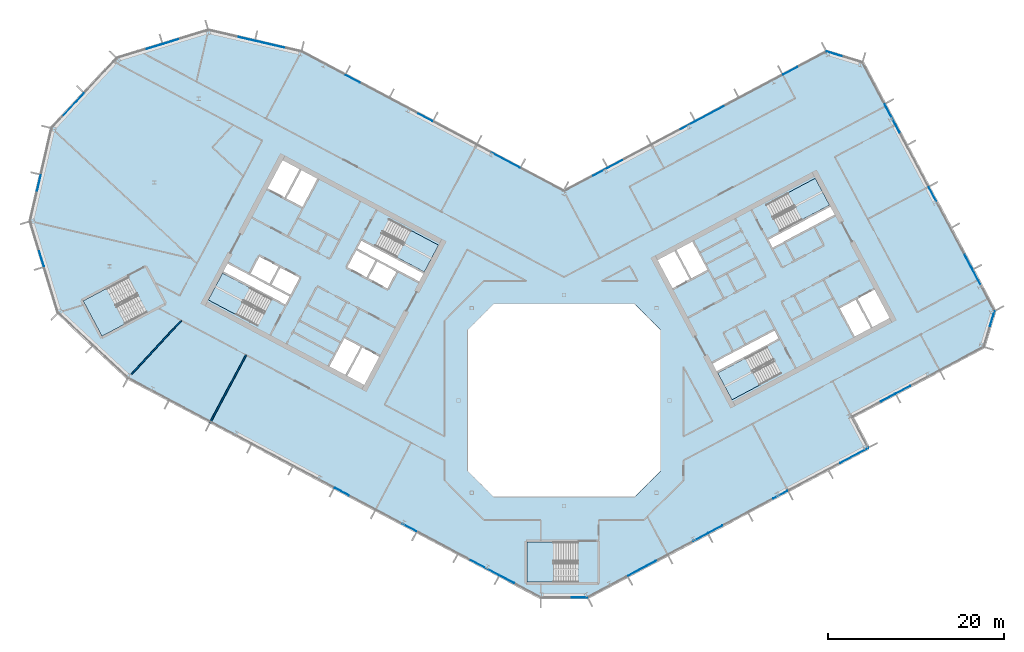
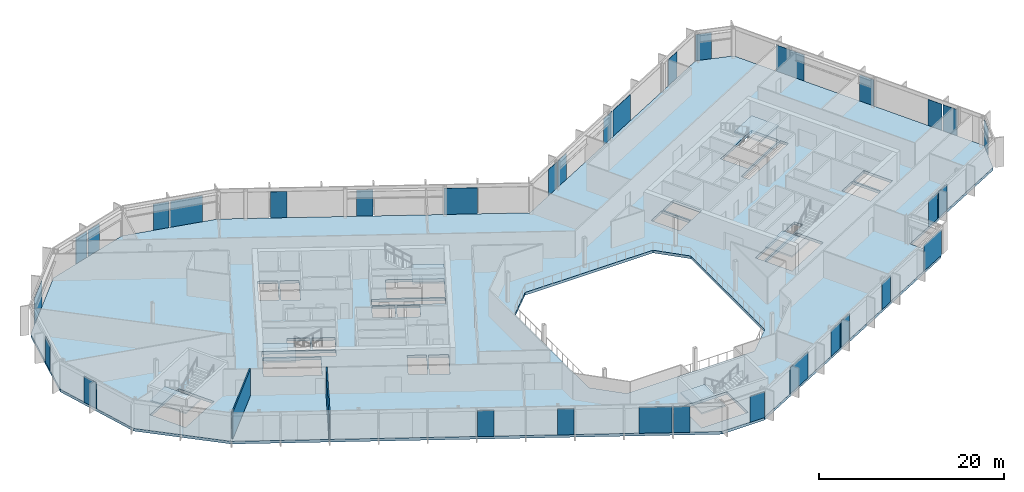
# One storey, part 11 of 26: 33 plates, 7 slabs, 2 walls, 20 elements without a shape of their own.
"""IFC4 building model written with IfcOpenShell, lengths in metres."""

from ifc_helpers import new_model, si_unit, direction, frame, frame_2d, origin, origin_2d, place, context, subcontext, project, spatial, polyline, rectangle, outline, extrude, material, layer, layer_set, type_object, element, aggregate, save


model = new_model("IFC4")

# Units and contexts
model_context = context("Model", 3, precision=1e-05, world=origin(), true_north=direction((0.0, 1.0)))
body_context = subcontext(model_context, "Body", "Model", "MODEL_VIEW")
ifc_project = project(units=[si_unit("LENGTHUNIT", "METRE"), si_unit("AREAUNIT", "SQUARE_METRE"), si_unit("VOLUMEUNIT", "CUBIC_METRE"), si_unit("PLANEANGLEUNIT", "RADIAN"), si_unit("MASSUNIT", "GRAM", prefix="KILO")], contexts=[model_context])

# Site, building, storey
site_placement = place(None, origin())
site = spatial("IfcSite", under=ifc_project, at=site_placement, CompositionType="ELEMENT")
building_placement = place(site_placement, origin())
building = spatial("IfcBuilding", under=site, at=building_placement, Name="Cormorant Relay Tower", CompositionType="ELEMENT")
storey_placement = place(building_placement, frame((0.0, 0.0, 236.39990234375)))
storey = spatial("IfcBuildingStorey", under=building, at=storey_placement, Name="L52", CompositionType="ELEMENT", Elevation=236.39990234375)

# Curtain wall, plate
ifc_material_1 = material(Name="Aluminium 6063-T6 anodised bronze", Category="aluminium")
ifc_layer_1 = layer(ifc_material_1, 0.199951171875)
ifc_layer_set_1 = layer_set([ifc_layer_1], Name="CW1 unitised bronze curtain wall with vertical fins")
curtain_wall_type = type_object("IfcCurtainWallType", Name="CW1 unitised bronze curtain wall with vertical fins", PredefinedType="NOTDEFINED", material=ifc_layer_set_1)
curtain_wall_1_placement = place(storey_placement, origin())
curtain_wall_1 = element("IfcCurtainWall", 1, at=curtain_wall_1_placement, inside=storey, type_object=curtain_wall_type, Name="CW1 curtain wall 1", PredefinedType="NOTDEFINED")
ifc_material_2 = material(Name="Tinted laminated glass", Category="glass")
ifc_layer_2 = layer(ifc_material_2, 0.0400390625)
ifc_layer_set_2 = layer_set([ifc_layer_2], Name="CW1 tinted vision panel 1800 module")
plate_type_1 = type_object("IfcPlateType", Name="CW1 tinted vision panel 1800 module", PredefinedType="CURTAIN_PANEL", material=ifc_layer_set_2)
plate_1_placement = place(storey_placement, frame((1.748779296875, -22.3955078125, 0.0), z_axis=(0.0, 0.0, 1.0), x_axis=(1.0, 0.0, 0.0)))
plate_1 = element("IfcPlate", 2, at=plate_1_placement, type_object=plate_type_1, Name="CW1 panel V01", PredefinedType="CURTAIN_PANEL", context=body_context, shape_type="SweptSolid", body=[
    extrude(rectangle(XDim=1.800048828125, YDim=0.0400390625, at=origin_2d()), origin(), (0.0, 0.0, 1.0), 3.449951171875),
])
aggregate(curtain_wall_1, [plate_1])

# Curtain wall, plates
curtain_wall_2_placement = place(storey_placement, origin())
curtain_wall_2 = element("IfcCurtainWall", 3, at=curtain_wall_2_placement, inside=storey, type_object=curtain_wall_type, Name="CW1 curtain wall 2", PredefinedType="NOTDEFINED")
plate_2_placement = place(storey_placement, frame((15.48291015625, -15.57421875, 0.0), z_axis=(0.0, 0.0, 1.0), x_axis=(0.882947592859, 0.469471562786, 0.0)))
plate_2 = element("IfcPlate", 4, at=plate_2_placement, type_object=plate_type_1, Name="CW1 panel V03", PredefinedType="CURTAIN_PANEL", context=body_context, shape_type="SweptSolid", body=[
    extrude(rectangle(XDim=1.800048828125, YDim=0.0400390625, at=origin_2d()), origin(), (0.0, 0.0, 1.0), 3.449951171875),
])
plate_3_placement = place(storey_placement, frame((17.20458984375, -14.65869140625, 0.0), z_axis=(0.0, 0.0, 1.0), x_axis=(0.882947592859, 0.469471562786, 0.0)))
plate_3 = element("IfcPlate", 5, at=plate_3_placement, type_object=plate_type_1, Name="CW1 panel V04", PredefinedType="CURTAIN_PANEL", context=body_context, shape_type="SweptSolid", body=[
    extrude(rectangle(XDim=1.800048828125, YDim=0.0400390625, at=origin_2d()), origin(), (0.0, 0.0, 1.0), 3.449951171875),
])
plate_4_placement = place(storey_placement, frame((24.6064453125, -10.72314453125, 0.0), z_axis=(0.0, 0.0, 1.0), x_axis=(0.882947592859, 0.469471562786, 0.0)))
plate_4 = element("IfcPlate", 6, at=plate_4_placement, type_object=plate_type_1, Name="CW1 panel V06", PredefinedType="CURTAIN_PANEL", context=body_context, shape_type="SweptSolid", body=[
    extrude(rectangle(XDim=1.800048828125, YDim=0.0400390625, at=origin_2d()), origin(), (0.0, 0.0, 1.0), 3.449951171875),
])

curtain_wall_3_placement = place(storey_placement, origin())
curtain_wall_3 = element("IfcCurtainWall", 7, at=curtain_wall_3_placement, inside=storey, type_object=curtain_wall_type, Name="CW1 curtain wall 4", PredefinedType="NOTDEFINED")
plate_5_placement = place(storey_placement, frame((36.85546875, 0.320068359375, 0.0), z_axis=(0.0, 0.0, 1.0), x_axis=(0.882947592859, 0.469471562786, 0.0)))
plate_5 = element("IfcPlate", 8, at=plate_5_placement, type_object=plate_type_1, Name="CW1 panel V01", PredefinedType="CURTAIN_PANEL", context=body_context, shape_type="SweptSolid", body=[
    extrude(rectangle(XDim=1.800048828125, YDim=0.0400390625, at=origin_2d()), origin(), (0.0, 0.0, 1.0), 3.449951171875),
])
plate_6_placement = place(storey_placement, frame((38.5771484375, 1.235595703125, 0.0), z_axis=(0.0, 0.0, 1.0), x_axis=(0.882947592859, 0.469471562786, 0.0)))
plate_6 = element("IfcPlate", 9, at=plate_6_placement, type_object=plate_type_1, Name="CW1 panel V02", PredefinedType="CURTAIN_PANEL", context=body_context, shape_type="SweptSolid", body=[
    extrude(rectangle(XDim=1.800048828125, YDim=0.0400390625, at=origin_2d()), origin(), (0.0, 0.0, 1.0), 3.449951171875),
])
aggregate(curtain_wall_3, [plate_5, plate_6])

# Curtain wall, plate
curtain_wall_4_placement = place(storey_placement, origin())
curtain_wall_4 = element("IfcCurtainWall", 10, at=curtain_wall_4_placement, inside=storey, type_object=curtain_wall_type, Name="CW1 curtain wall 5", PredefinedType="NOTDEFINED")
plate_7_placement = place(storey_placement, frame((48.710205078125, 9.306884765625, 0.0), z_axis=(0.0, 0.0, 1.0), x_axis=(0.292371704723, 0.956304755963, 0.0)))
plate_7 = element("IfcPlate", 11, at=plate_7_placement, type_object=plate_type_1, Name="CW1 panel V01", PredefinedType="CURTAIN_PANEL", context=body_context, shape_type="SweptSolid", body=[
    extrude(rectangle(XDim=1.800048828125, YDim=0.0400390625, at=origin_2d()), origin(), (0.0, 0.0, 1.0), 3.449951171875),
])
aggregate(curtain_wall_4, [plate_7])

# Curtain wall, plates
curtain_wall_5_placement = place(storey_placement, origin())
curtain_wall_5 = element("IfcCurtainWall", 12, at=curtain_wall_5_placement, inside=storey, type_object=curtain_wall_type, Name="CW1 curtain wall 6", PredefinedType="NOTDEFINED")
plate_8_placement = place(storey_placement, frame((46.925537109375, 14.031005859375, 0.0), z_axis=(0.0, 0.0, 1.0), x_axis=(-0.469471562786, 0.882947592859, 0.0)))
plate_8 = element("IfcPlate", 13, at=plate_8_placement, type_object=plate_type_1, Name="CW1 panel V01", PredefinedType="CURTAIN_PANEL", context=body_context, shape_type="SweptSolid", body=[
    extrude(rectangle(XDim=1.800048828125, YDim=0.0400390625, at=origin_2d()), origin(), (0.0, 0.0, 1.0), 3.449951171875),
])
plate_9_placement = place(storey_placement, frame((46.01025390625, 15.752685546875, 0.0), z_axis=(0.0, 0.0, 1.0), x_axis=(-0.469471562786, 0.882947592859, 0.0)))
plate_9 = element("IfcPlate", 14, at=plate_9_placement, type_object=plate_type_1, Name="CW1 panel V02", PredefinedType="CURTAIN_PANEL", context=body_context, shape_type="SweptSolid", body=[
    extrude(rectangle(XDim=1.800048828125, YDim=0.0400390625, at=origin_2d()), origin(), (0.0, 0.0, 1.0), 3.449951171875),
])
plate_10_placement = place(storey_placement, frame((41.91796875, 23.448974609375, 0.0), z_axis=(0.0, 0.0, 1.0), x_axis=(-0.469471562786, 0.882947592859, 0.0)))
plate_10 = element("IfcPlate", 15, at=plate_10_placement, type_object=plate_type_1, Name="CW1 panel V04", PredefinedType="CURTAIN_PANEL", context=body_context, shape_type="SweptSolid", body=[
    extrude(rectangle(XDim=1.800048828125, YDim=0.0400390625, at=origin_2d()), origin(), (0.0, 0.0, 1.0), 3.449951171875),
])

# Curtain wall, plate
curtain_wall_6_placement = place(storey_placement, origin())
curtain_wall_6 = element("IfcCurtainWall", 16, at=curtain_wall_6_placement, inside=storey, type_object=curtain_wall_type, Name="CW1 curtain wall 7", PredefinedType="NOTDEFINED")
plate_11_placement = place(storey_placement, frame((30.740234375, 39.424072265625, 0.0), z_axis=(0.0, 0.0, 1.0), x_axis=(-0.956304755963, 0.292371704723, 0.0)))
plate_11 = element("IfcPlate", 17, at=plate_11_placement, type_object=plate_type_1, Name="CW1 panel V01", PredefinedType="CURTAIN_PANEL", context=body_context, shape_type="SweptSolid", body=[
    extrude(rectangle(XDim=1.800048828125, YDim=0.0400390625, at=origin_2d()), origin(), (0.0, 0.0, 1.0), 3.449951171875),
])
aggregate(curtain_wall_6, [plate_11])

# Curtain wall, plates
curtain_wall_7_placement = place(storey_placement, origin())
curtain_wall_7 = element("IfcCurtainWall", 18, at=curtain_wall_7_placement, inside=storey, type_object=curtain_wall_type, Name="CW1 curtain wall 8", PredefinedType="NOTDEFINED")
plate_12_placement = place(storey_placement, frame((25.746337890625, 37.49609375, 0.0), z_axis=(0.0, 0.0, 1.0), x_axis=(-0.882947592859, -0.469471562786, 0.0)))
plate_12 = element("IfcPlate", 19, at=plate_12_placement, type_object=plate_type_1, Name="CW1 panel V01", PredefinedType="CURTAIN_PANEL", context=body_context, shape_type="SweptSolid", body=[
    extrude(rectangle(XDim=1.800048828125, YDim=0.0400390625, at=origin_2d()), origin(), (0.0, 0.0, 1.0), 3.449951171875),
])
plate_13_placement = place(storey_placement, frame((14.066650390625, 31.285888671875, 0.0), z_axis=(0.0, 0.0, 1.0), x_axis=(-0.882947592859, -0.469471562786, 0.0)))
plate_13 = element("IfcPlate", 20, at=plate_13_placement, type_object=plate_type_1, Name="CW1 panel V04", PredefinedType="CURTAIN_PANEL", context=body_context, shape_type="SweptSolid", body=[
    extrude(rectangle(XDim=1.800048828125, YDim=0.0400390625, at=origin_2d()), origin(), (0.0, 0.0, 1.0), 3.449951171875),
])
plate_14_placement = place(storey_placement, frame((5.830322265625, 26.90673828125, 0.0), z_axis=(0.0, 0.0, 1.0), x_axis=(-0.882947592859, -0.469471562786, 0.0)))
plate_14 = element("IfcPlate", 21, at=plate_14_placement, type_object=plate_type_1, Name="CW1 panel V06", PredefinedType="CURTAIN_PANEL", context=body_context, shape_type="SweptSolid", body=[
    extrude(rectangle(XDim=1.800048828125, YDim=0.0400390625, at=origin_2d()), origin(), (0.0, 0.0, 1.0), 3.449951171875),
])
plate_15_placement = place(storey_placement, frame((4.108642578125, 25.9912109375, 0.0), z_axis=(0.0, 0.0, 1.0), x_axis=(-0.882947592859, -0.469471562786, 0.0)))
plate_15 = element("IfcPlate", 22, at=plate_15_placement, type_object=plate_type_1, Name="CW1 panel V07", PredefinedType="CURTAIN_PANEL", context=body_context, shape_type="SweptSolid", body=[
    extrude(rectangle(XDim=1.800048828125, YDim=0.0400390625, at=origin_2d()), origin(), (0.0, 0.0, 1.0), 3.449951171875),
])

curtain_wall_8_placement = place(storey_placement, origin())
curtain_wall_8 = element("IfcCurtainWall", 23, at=curtain_wall_8_placement, inside=storey, type_object=curtain_wall_type, Name="CW1 curtain wall 9", PredefinedType="NOTDEFINED")
plate_16_placement = place(storey_placement, frame((-15.788330078125, 32.201416015625, 0.0), z_axis=(0.0, 0.0, 1.0), x_axis=(-0.882947592859, 0.469471562786, 0.0)))
plate_16 = element("IfcPlate", 24, at=plate_16_placement, type_object=plate_type_1, Name="CW1 panel V03", PredefinedType="CURTAIN_PANEL", context=body_context, shape_type="SweptSolid", body=[
    extrude(rectangle(XDim=1.800048828125, YDim=0.0400390625, at=origin_2d()), origin(), (0.0, 0.0, 1.0), 3.449951171875),
])
plate_17_placement = place(storey_placement, frame((-24.0244140625, 36.580810546875, 0.0), z_axis=(0.0, 0.0, 1.0), x_axis=(-0.882947592859, 0.469471562786, 0.0)))
plate_17 = element("IfcPlate", 25, at=plate_17_placement, type_object=plate_type_1, Name="CW1 panel V05", PredefinedType="CURTAIN_PANEL", context=body_context, shape_type="SweptSolid", body=[
    extrude(rectangle(XDim=1.800048828125, YDim=0.0400390625, at=origin_2d()), origin(), (0.0, 0.0, 1.0), 3.449951171875),
])

# Curtain wall, plate
curtain_wall_9_placement = place(storey_placement, origin())
curtain_wall_9 = element("IfcCurtainWall", 26, at=curtain_wall_9_placement, inside=storey, type_object=curtain_wall_type, Name="CW1 curtain wall 10", PredefinedType="NOTDEFINED")
plate_18_placement = place(storey_placement, frame((-36.114990234375, 41.129638671875, 0.0), z_axis=(0.0, 0.0, 1.0), x_axis=(-0.974370064785, 0.224951054344, 0.0)))
plate_18 = element("IfcPlate", 27, at=plate_18_placement, type_object=plate_type_1, Name="CW1 panel V02", PredefinedType="CURTAIN_PANEL", context=body_context, shape_type="SweptSolid", body=[
    extrude(rectangle(XDim=1.800048828125, YDim=0.0400390625, at=origin_2d()), origin(), (0.0, 0.0, 1.0), 3.449951171875),
])

# Curtain wall, plates
curtain_wall_10_placement = place(storey_placement, origin())
curtain_wall_10 = element("IfcCurtainWall", 28, at=curtain_wall_10_placement, inside=storey, type_object=curtain_wall_type, Name="CW1 curtain wall 11", PredefinedType="NOTDEFINED")
plate_19_placement = place(storey_placement, frame((-44.73681640625, 40.82861328125, 0.0), z_axis=(0.0, 0.0, 1.0), x_axis=(-0.956304755963, -0.292371704723, 0.0)))
plate_19 = element("IfcPlate", 29, at=plate_19_placement, type_object=plate_type_1, Name="CW1 panel V01", PredefinedType="CURTAIN_PANEL", context=body_context, shape_type="SweptSolid", body=[
    extrude(rectangle(XDim=1.800048828125, YDim=0.0400390625, at=origin_2d()), origin(), (0.0, 0.0, 1.0), 3.449951171875),
])
plate_20_placement = place(storey_placement, frame((-46.6015625, 40.25830078125, 0.0), z_axis=(0.0, 0.0, 1.0), x_axis=(-0.956304755963, -0.292371704723, 0.0)))
plate_20 = element("IfcPlate", 30, at=plate_20_placement, type_object=plate_type_1, Name="CW1 panel V02", PredefinedType="CURTAIN_PANEL", context=body_context, shape_type="SweptSolid", body=[
    extrude(rectangle(XDim=1.800048828125, YDim=0.0400390625, at=origin_2d()), origin(), (0.0, 0.0, 1.0), 3.449951171875),
])
aggregate(curtain_wall_10, [plate_19, plate_20])

# Curtain wall, plate
curtain_wall_11_placement = place(storey_placement, origin())
curtain_wall_11 = element("IfcCurtainWall", 31, at=curtain_wall_11_placement, inside=storey, type_object=curtain_wall_type, Name="CW1 curtain wall 13", PredefinedType="NOTDEFINED")
plate_21_placement = place(storey_placement, frame((-59.736083984375, 24.74365234375, 0.0), z_axis=(0.0, 0.0, 1.0), x_axis=(-0.224951054344, -0.974370064785, 0.0)))
plate_21 = element("IfcPlate", 32, at=plate_21_placement, type_object=plate_type_1, Name="CW1 panel V01", PredefinedType="CURTAIN_PANEL", context=body_context, shape_type="SweptSolid", body=[
    extrude(rectangle(XDim=1.800048828125, YDim=0.0400390625, at=origin_2d()), origin(), (0.0, 0.0, 1.0), 3.449951171875),
])
aggregate(curtain_wall_11, [plate_21])

curtain_wall_12_placement = place(storey_placement, origin())
curtain_wall_12 = element("IfcCurtainWall", 33, at=curtain_wall_12_placement, inside=storey, type_object=curtain_wall_type, Name="CW1 curtain wall 14", PredefinedType="NOTDEFINED")
plate_22_placement = place(storey_placement, frame((-59.434814453125, 16.122314453125, 0.0), z_axis=(0.0, 0.0, 1.0), x_axis=(0.292371704723, -0.956304755963, 0.0)))
plate_22 = element("IfcPlate", 34, at=plate_22_placement, type_object=plate_type_1, Name="CW1 panel V01", PredefinedType="CURTAIN_PANEL", context=body_context, shape_type="SweptSolid", body=[
    extrude(rectangle(XDim=1.800048828125, YDim=0.0400390625, at=origin_2d()), origin(), (0.0, 0.0, 1.0), 3.449951171875),
])
aggregate(curtain_wall_12, [plate_22])

# Curtain wall, plates
curtain_wall_13_placement = place(storey_placement, origin())
curtain_wall_13 = element("IfcCurtainWall", 35, at=curtain_wall_13_placement, inside=storey, type_object=curtain_wall_type, Name="CW1 curtain wall 16", PredefinedType="NOTDEFINED")
plate_23_placement = place(storey_placement, frame((-25.268798828125, -10.37109375, 0.0), z_axis=(0.0, 0.0, 1.0), x_axis=(0.882947592859, -0.469471562786, 0.0)))
plate_23 = element("IfcPlate", 36, at=plate_23_placement, type_object=plate_type_1, Name="CW1 panel V06", PredefinedType="CURTAIN_PANEL", context=body_context, shape_type="SweptSolid", body=[
    extrude(rectangle(XDim=1.800048828125, YDim=0.0400390625, at=origin_2d()), origin(), (0.0, 0.0, 1.0), 3.449951171875),
])
plate_24_placement = place(storey_placement, frame((-17.601806640625, -14.447509765625, 0.0), z_axis=(0.0, 0.0, 1.0), x_axis=(0.882947592859, -0.469471562786, 0.0)))
plate_24 = element("IfcPlate", 37, at=plate_24_placement, type_object=plate_type_1, Name="CW1 panel V08", PredefinedType="CURTAIN_PANEL", context=body_context, shape_type="SweptSolid", body=[
    extrude(rectangle(XDim=1.800048828125, YDim=0.0400390625, at=origin_2d()), origin(), (0.0, 0.0, 1.0), 3.449951171875),
])
plate_25_placement = place(storey_placement, frame((-6.49169921875, -20.35498046875, 0.0), z_axis=(0.0, 0.0, 1.0), x_axis=(0.882947592859, -0.469471562786, 0.0)))
plate_25 = element("IfcPlate", 38, at=plate_25_placement, type_object=plate_type_1, Name="CW1 panel V11", PredefinedType="CURTAIN_PANEL", context=body_context, shape_type="SweptSolid", body=[
    extrude(rectangle(XDim=1.800048828125, YDim=0.0400390625, at=origin_2d()), origin(), (0.0, 0.0, 1.0), 3.449951171875),
])

# Plate
ifc_material_3 = material(Name="Tinted laminated glass", Category="glass")
ifc_layer_3 = layer(ifc_material_3, 0.0400390625)
ifc_layer_set_3 = layer_set([ifc_layer_3], Name="CW1 tinted vision panel 3600 module")
plate_type_2 = type_object("IfcPlateType", Name="CW1 tinted vision panel 3600 module", PredefinedType="CURTAIN_PANEL", material=ifc_layer_set_3)
plate_26_placement = place(storey_placement, frame((8.87548828125, -19.08740234375, 0.0), z_axis=(0.0, 0.0, 1.0), x_axis=(0.882947592859, 0.469471562786, 0.0)))
plate_26 = element("IfcPlate", 39, at=plate_26_placement, type_object=plate_type_2, Name="CW1 panel V01", PredefinedType="CURTAIN_PANEL", context=body_context, shape_type="SweptSolid", body=[
    extrude(rectangle(XDim=3.60009765625, YDim=0.0400390625, at=origin_2d()), origin(), (0.0, 0.0, 1.0), 3.449951171875),
])

plate_27_placement = place(storey_placement, frame((33.00146484375, -6.259521484375, 0.0), z_axis=(0.0, 0.0, 1.0), x_axis=(0.882947592859, 0.469471562786, 0.0)))
plate_27 = element("IfcPlate", 40, at=plate_27_placement, type_object=plate_type_2, Name="CW1 panel V08", PredefinedType="CURTAIN_PANEL", context=body_context, shape_type="SweptSolid", body=[
    extrude(rectangle(XDim=3.60009765625, YDim=0.0400390625, at=origin_2d()), origin(), (0.0, 0.0, 1.0), 3.449951171875),
])

aggregate(curtain_wall_2, [plate_26, plate_2, plate_3, plate_4, plate_27])

plate_28_placement = place(storey_placement, frame((37.332763671875, 32.072509765625, 0.0), z_axis=(0.0, 0.0, 1.0), x_axis=(-0.469471562786, 0.882947592859, 0.0)))
plate_28 = element("IfcPlate", 41, at=plate_28_placement, type_object=plate_type_2, Name="CW1 panel V06", PredefinedType="CURTAIN_PANEL", context=body_context, shape_type="SweptSolid", body=[
    extrude(rectangle(XDim=3.60009765625, YDim=0.0400390625, at=origin_2d()), origin(), (0.0, 0.0, 1.0), 3.449951171875),
])

aggregate(curtain_wall_5, [plate_8, plate_9, plate_10, plate_28])

plate_29_placement = place(storey_placement, frame((16.5830078125, 32.6240234375, 0.0), z_axis=(0.0, 0.0, 1.0), x_axis=(-0.882947592859, -0.469471562786, 0.0)))
plate_29 = element("IfcPlate", 42, at=plate_29_placement, type_object=plate_type_2, Name="CW1 panel V03", PredefinedType="CURTAIN_PANEL", context=body_context, shape_type="SweptSolid", body=[
    extrude(rectangle(XDim=3.60009765625, YDim=0.0400390625, at=origin_2d()), origin(), (0.0, 0.0, 1.0), 3.449951171875),
])

aggregate(curtain_wall_7, [plate_12, plate_29, plate_13, plate_14, plate_15])

plate_30_placement = place(storey_placement, frame((-6.625, 27.3291015625, 0.0), z_axis=(0.0, 0.0, 1.0), x_axis=(-0.882947592859, 0.469471562786, 0.0)))
plate_30 = element("IfcPlate", 43, at=plate_30_placement, type_object=plate_type_2, Name="CW1 panel V01", PredefinedType="CURTAIN_PANEL", context=body_context, shape_type="SweptSolid", body=[
    extrude(rectangle(XDim=3.60009765625, YDim=0.0400390625, at=origin_2d()), origin(), (0.0, 0.0, 1.0), 3.449951171875),
])

aggregate(curtain_wall_8, [plate_30, plate_16, plate_17])

plate_31_placement = place(storey_placement, frame((-33.338134765625, 40.488525390625, 0.0), z_axis=(0.0, 0.0, 1.0), x_axis=(-0.974370064785, 0.224951054344, 0.0)))
plate_31 = element("IfcPlate", 44, at=plate_31_placement, type_object=plate_type_2, Name="CW1 panel V01", PredefinedType="CURTAIN_PANEL", context=body_context, shape_type="SweptSolid", body=[
    extrude(rectangle(XDim=3.60009765625, YDim=0.0400390625, at=origin_2d()), origin(), (0.0, 0.0, 1.0), 3.449951171875),
])

aggregate(curtain_wall_9, [plate_31, plate_18])

# Curtain wall, plate
curtain_wall_14_placement = place(storey_placement, origin())
curtain_wall_14 = element("IfcCurtainWall", 45, at=curtain_wall_14_placement, inside=storey, type_object=curtain_wall_type, Name="CW1 curtain wall 12", PredefinedType="NOTDEFINED")
plate_32_placement = place(storey_placement, frame((-55.861083984375, 33.6025390625, 0.0), z_axis=(0.0, 0.0, 1.0), x_axis=(-0.681998360062, -0.731353701619, 0.0)))
plate_32 = element("IfcPlate", 46, at=plate_32_placement, type_object=plate_type_2, Name="CW1 panel V01", PredefinedType="CURTAIN_PANEL", context=body_context, shape_type="SweptSolid", body=[
    extrude(rectangle(XDim=3.60009765625, YDim=0.0400390625, at=origin_2d()), origin(), (0.0, 0.0, 1.0), 3.449951171875),
])
aggregate(curtain_wall_14, [plate_32])

# Plate
plate_33_placement = place(storey_placement, frame((-9.008056640625, -19.01708984375, 0.0), z_axis=(0.0, 0.0, 1.0), x_axis=(0.882947592859, -0.469471562786, 0.0)))
plate_33 = element("IfcPlate", 47, at=plate_33_placement, type_object=plate_type_2, Name="CW1 panel V10", PredefinedType="CURTAIN_PANEL", context=body_context, shape_type="SweptSolid", body=[
    extrude(rectangle(XDim=3.60009765625, YDim=0.0400390625, at=origin_2d()), origin(), (0.0, 0.0, 1.0), 3.449951171875),
])

aggregate(curtain_wall_13, [plate_23, plate_24, plate_33, plate_25])

# Stair, slab
ifc_material_4 = material(Name="Concrete 40 MPa", Category="concrete")
stair_type_1 = type_object("IfcStairType", Name="Exit stair 1500", PredefinedType="HALF_TURN_STAIR", material=ifc_material_4)
stair_1_placement = place(storey_placement, origin())
stair_1 = element("IfcStair", 48, at=stair_1_placement, inside=storey, type_object=stair_type_1, Name="L52 Stair", PredefinedType="HALF_TURN_STAIR")
ifc_material_5 = material(Name="Concrete 40 MPa", Category="concrete")
ifc_layer_4 = layer(ifc_material_5, 0.199951171875)
ifc_layer_set_4 = layer_set([ifc_layer_4], Name="Exit stair landing 200")
slab_type_1 = type_object("IfcSlabType", Name="Exit stair landing 200", PredefinedType="LANDING", material=ifc_layer_set_4)
slab_1_placement = place(storey_placement, frame((0.0, 0.0, 1.75)))
slab_1 = element("IfcSlab", 49, at=slab_1_placement, type_object=slab_type_1, Name="A1 landing 1", PredefinedType="LANDING", context=body_context, shape_type="SweptSolid", body=[
    extrude(outline(polyline([(-19.029541015625, 16.29052734375), (-15.89501953125, 14.6240234375), (-14.275390625, 17.670166015625), (-17.40966796875, 19.3369140625), (-19.029541015625, 16.29052734375)])), origin(), (0.0, 0.0, 1.0), 0.2001953125),
])
aggregate(stair_1, [slab_1])

stair_2_placement = place(storey_placement, origin())
stair_2 = element("IfcStair", 50, at=stair_2_placement, inside=storey, type_object=stair_type_1, Name="L52 Stair", PredefinedType="HALF_TURN_STAIR")
slab_2_placement = place(storey_placement, frame((0.0, 0.0, 1.75)))
slab_2 = element("IfcSlab", 51, at=slab_2_placement, type_object=slab_type_1, Name="A2 landing 1", PredefinedType="LANDING", context=body_context, shape_type="SweptSolid", body=[
    extrude(outline(polyline([(-35.71337890625, 12.816650390625), (-38.84765625, 14.483154296875), (-40.467529296875, 11.43701171875), (-37.3330078125, 9.7705078125), (-35.71337890625, 12.816650390625)])), origin(), (0.0, 0.0, 1.0), 0.2001953125),
])
aggregate(stair_2, [slab_2])

stair_3_placement = place(storey_placement, origin())
stair_3 = element("IfcStair", 52, at=stair_3_placement, inside=storey, type_object=stair_type_1, Name="L52 Stair", PredefinedType="HALF_TURN_STAIR")
slab_3_placement = place(storey_placement, frame((0.0, 0.0, 1.75)))
slab_3 = element("IfcSlab", 53, at=slab_3_placement, type_object=slab_type_1, Name="B1 landing 1", PredefinedType="LANDING", context=body_context, shape_type="SweptSolid", body=[
    extrude(outline(polyline([(20.614990234375, 4.78857421875), (17.48046875, 3.1220703125), (19.10009765625, 0.075927734375), (22.234619140625, 1.742431640625), (20.614990234375, 4.78857421875)])), origin(), (0.0, 0.0, 1.0), 0.2001953125),
])
aggregate(stair_3, [slab_3])

stair_4_placement = place(storey_placement, origin())
stair_4 = element("IfcStair", 54, at=stair_4_placement, inside=storey, type_object=stair_type_1, Name="L52 Stair", PredefinedType="HALF_TURN_STAIR")
slab_4_placement = place(storey_placement, frame((0.0, 0.0, 1.75)))
slab_4 = element("IfcSlab", 55, at=slab_4_placement, type_object=slab_type_1, Name="B2 landing 1", PredefinedType="LANDING", context=body_context, shape_type="SweptSolid", body=[
    extrude(outline(polyline([(27.064208984375, 20.562744140625), (30.19873046875, 22.2294921875), (28.5791015625, 25.275634765625), (25.444580078125, 23.60888671875), (27.064208984375, 20.562744140625)])), origin(), (0.0, 0.0, 1.0), 0.2001953125),
])
aggregate(stair_4, [slab_4])

ifc_material_6 = material(Name="Concrete 40 MPa", Category="concrete")
stair_type_2 = type_object("IfcStairType", Name="Remote exit stair 2200", PredefinedType="HALF_TURN_STAIR", material=ifc_material_6)
stair_5_placement = place(storey_placement, origin())
stair_5 = element("IfcStair", 56, at=stair_5_placement, inside=storey, type_object=stair_type_2, Name="L52 Stair", PredefinedType="HALF_TURN_STAIR")
slab_5_placement = place(storey_placement, frame((0.0, 0.0, 1.75)))
slab_5 = element("IfcSlab", 57, at=slab_5_placement, type_object=slab_type_1, Name="RK1 landing 1", PredefinedType="LANDING", context=body_context, shape_type="SweptSolid", body=[
    extrude(outline(polyline([(-1.199951171875, -16.125), (-4.199951171875, -16.125), (-4.199951171875, -20.675048828125), (-1.199951171875, -20.675048828125), (-1.199951171875, -16.125)])), origin(), (0.0, 0.0, 1.0), 0.2001953125),
])
aggregate(stair_5, [slab_5])

stair_6_placement = place(storey_placement, origin())
stair_6 = element("IfcStair", 58, at=stair_6_placement, inside=storey, type_object=stair_type_2, Name="L52 Stair", PredefinedType="HALF_TURN_STAIR")
slab_6_placement = place(storey_placement, frame((0.0, 0.0, 1.75)))
slab_6 = element("IfcSlab", 59, at=slab_6_placement, type_object=slab_type_1, Name="RP1 landing 1", PredefinedType="LANDING", context=body_context, shape_type="SweptSolid", body=[
    extrude(outline(polyline([(-52.051025390625, 12.7392578125), (-54.699951171875, 11.330810546875), (-52.563720703125, 7.3134765625), (-49.914794921875, 8.721923828125), (-52.051025390625, 12.7392578125)])), origin(), (0.0, 0.0, 1.0), 0.2001953125),
])
aggregate(stair_6, [slab_6])

# Slab
ifc_material_7 = material(Name="Concrete 40 MPa", Category="concrete")
ifc_layer_5 = layer(ifc_material_7, 0.360107421875)
ifc_layer_set_5 = layer_set([ifc_layer_5], Name="Flat plate 360")
slab_type_2 = type_object("IfcSlabType", Name="Flat plate 360", PredefinedType="FLOOR", material=ifc_layer_set_5)
slab_7_placement = place(storey_placement, frame((0.0, 0.0, -0.35986328125)))
element("IfcSlab", 60, at=slab_7_placement, inside=storey, type_object=slab_type_2, Name="Floor slab L52", PredefinedType="FLOOR", context=body_context, shape_type="SweptSolid", body=[
    extrude(outline(polyline([(-60.7197265625, 20.393310546875), (-58.2744140625, 30.985107421875), (-50.86083984375, 38.935302734375), (-40.465576171875, 42.11328125), (-29.873779296875, 39.668212890625), (0.0, 23.783935546875), (29.873779296875, 39.668212890625), (33.930908203125, 38.427734375), (48.9541015625, 10.17333984375), (47.713623046875, 6.1162109375), (32.70361328125, -1.864990234375), (34.581298828125, -5.396728515625), (2.648681640625, -22.37548828125), (-2.648681640625, -22.37548828125), (-49.591552734375, 2.584228515625), (-57.541748046875, 9.997802734375), (-60.7197265625, 20.393310546875)]), holes=[polyline([(11.0, -8.0), (11.0, 8.0), (8.0, 11.0), (-8.0, 11.0), (-11.0, 8.0), (-11.0, -8.0), (-8.0, -11.0), (8.0, -11.0), (11.0, -8.0)]), polyline([(-22.95458984375, 6.03271484375), (-24.668212890625, 2.81005859375), (-22.725830078125, 1.777099609375), (-21.01220703125, 5.0), (-23.04296875, 6.07958984375), (-22.95458984375, 6.03271484375)]), polyline([(-24.985595703125, 7.112548828125), (-26.69921875, 3.889892578125), (-24.844970703125, 2.90380859375), (-23.13134765625, 6.126708984375), (-23.04296875, 6.07958984375), (-24.985595703125, 7.112548828125)]), polyline([(-54.69970703125, 11.330810546875), (-52.563720703125, 7.3134765625), (-47.442626953125, 10.036376953125), (-49.57861328125, 14.0537109375), (-54.69970703125, 11.330810546875)]), polyline([(-33.240966796875, 11.502197265625), (-38.847900390625, 14.483154296875), (-40.46728515625, 11.43701171875), (-34.860595703125, 8.455810546875), (-33.240966796875, 11.502197265625)]), polyline([(-38.260986328125, 15.5869140625), (-38.75390625, 14.659912109375), (-31.690185546875, 10.904052734375), (-31.197265625, 11.8310546875), (-38.260986328125, 15.5869140625)]), polyline([(-31.103515625, 12.0078125), (-30.070556640625, 13.9501953125), (-32.278076171875, 15.123779296875), (-33.310791015625, 13.181396484375), (-31.103515625, 12.0078125)]), polyline([(-22.2880859375, 13.889404296875), (-20.080810546875, 12.7158203125), (-19.048095703125, 14.658203125), (-21.25537109375, 15.831787109375), (-22.2880859375, 13.889404296875)]), polyline([(-34.661865234375, 16.3916015625), (-35.69482421875, 14.448974609375), (-33.4873046875, 13.275390625), (-32.45458984375, 15.2177734375), (-34.661865234375, 16.3916015625)]), polyline([(-22.46484375, 13.9833984375), (-21.431884765625, 15.92578125), (-23.639404296875, 17.099609375), (-24.672119140625, 15.156982421875), (-22.46484375, 13.9833984375)]), polyline([(-31.611572265625, 22.980712890625), (-29.75732421875, 21.99462890625), (-28.043701171875, 25.217529296875), (-29.89794921875, 26.203369140625), (-31.611572265625, 22.980712890625)]), polyline([(-32.01708984375, 27.330078125), (-33.73046875, 24.107421875), (-31.7880859375, 23.074462890625), (-30.074462890625, 26.29736328125), (-32.01708984375, 27.330078125)]), polyline([(-4.199951171875, -16.125), (-4.199951171875, -20.675048828125), (1.60009765625, -20.675048828125), (1.60009765625, -16.125), (-4.199951171875, -16.125)]), polyline([(17.48046875, 3.1220703125), (19.10009765625, 0.07568359375), (24.706787109375, 3.056884765625), (23.087158203125, 6.10302734375), (17.48046875, 3.1220703125)]), polyline([(17.386474609375, 3.298583984375), (24.4501953125, 7.054443359375), (23.957275390625, 7.9814453125), (16.8935546875, 4.2255859375), (17.386474609375, 3.298583984375)]), polyline([(33.197021484375, 11.478515625), (31.3427734375, 10.49267578125), (33.056396484375, 7.27001953125), (34.910400390625, 8.255859375), (33.197021484375, 11.478515625)]), polyline([(33.37353515625, 11.572509765625), (35.087158203125, 8.349609375), (37.029541015625, 9.382568359375), (35.31591796875, 12.605224609375), (33.37353515625, 11.572509765625)]), polyline([(14.3056640625, 13.779052734375), (12.592041015625, 17.001708984375), (10.649658203125, 15.968994140625), (12.36328125, 12.74609375), (14.39404296875, 13.825927734375), (14.3056640625, 13.779052734375)]), polyline([(16.33642578125, 14.85888671875), (14.622802734375, 18.08154296875), (12.768798828125, 17.095703125), (14.482421875, 13.872802734375), (14.39404296875, 13.825927734375), (16.33642578125, 14.85888671875)]), polyline([(-16.481689453125, 13.520263671875), (-15.989013671875, 14.447509765625), (-23.052490234375, 18.203125), (-23.54541015625, 17.276123046875), (-16.481689453125, 13.520263671875)]), polyline([(-15.89501953125, 14.6240234375), (-14.275390625, 17.670166015625), (-19.882080078125, 20.6513671875), (-21.501708984375, 17.605224609375), (-15.89501953125, 14.6240234375)]), polyline([(30.78564453125, 21.125732421875), (30.29248046875, 22.052978515625), (23.22900390625, 18.297119140625), (23.721923828125, 17.3701171875), (30.78564453125, 21.125732421875)]), polyline([(24.592041015625, 19.248291015625), (30.19873046875, 22.2294921875), (28.5791015625, 25.275634765625), (22.972412109375, 22.29443359375), (24.592041015625, 19.248291015625)])]), origin(), (0.0, 0.0, 1.0), 0.35986328125),
])

# Walls
ifc_material_8 = material(Name="Gypsum board partition")
ifc_layer_6 = layer(ifc_material_8, 0.14990234375)
ifc_layer_set_6 = layer_set([ifc_layer_6], Name="Tenant partition 150")
wall_type = type_object("IfcWallType", Name="Tenant partition 150", PredefinedType="PARTITIONING", material=ifc_layer_set_6)
wall_1_placement = place(storey_placement, frame((-43.51904296875, 9.095947265625, 0.0), z_axis=(0.0, 0.0, 1.0), x_axis=(-0.681976527411, -0.731374060287, 0.0)))
element("IfcWall", 61, at=wall_1_placement, inside=storey, type_object=wall_type, Name="wall/L52/part/008", PredefinedType="PARTITIONING", context=body_context, shape_type="SweptSolid", body=[
    extrude(rectangle(XDim=8.402099609375, YDim=0.14990234375, at=frame_2d((4.201171875, 0.0))), origin(), (0.0, 0.0, 1.0), 3.5400390625),
])
wall_2_placement = place(storey_placement, frame((-36.166015625, 5.18603515625, 0.0), z_axis=(0.0, 0.0, 1.0), x_axis=(-0.469445946219, -0.882961212952, 0.0)))
element("IfcWall", 62, at=wall_2_placement, inside=storey, type_object=wall_type, Name="wall/L52/part/009", PredefinedType="PARTITIONING", context=body_context, shape_type="SweptSolid", body=[
    extrude(rectangle(XDim=8.800048828125, YDim=0.14990234375, at=frame_2d((4.39990234375, 0.0))), origin(), (0.0, 0.0, 1.0), 3.5400390625),
])

save(model, "model.ifc")
